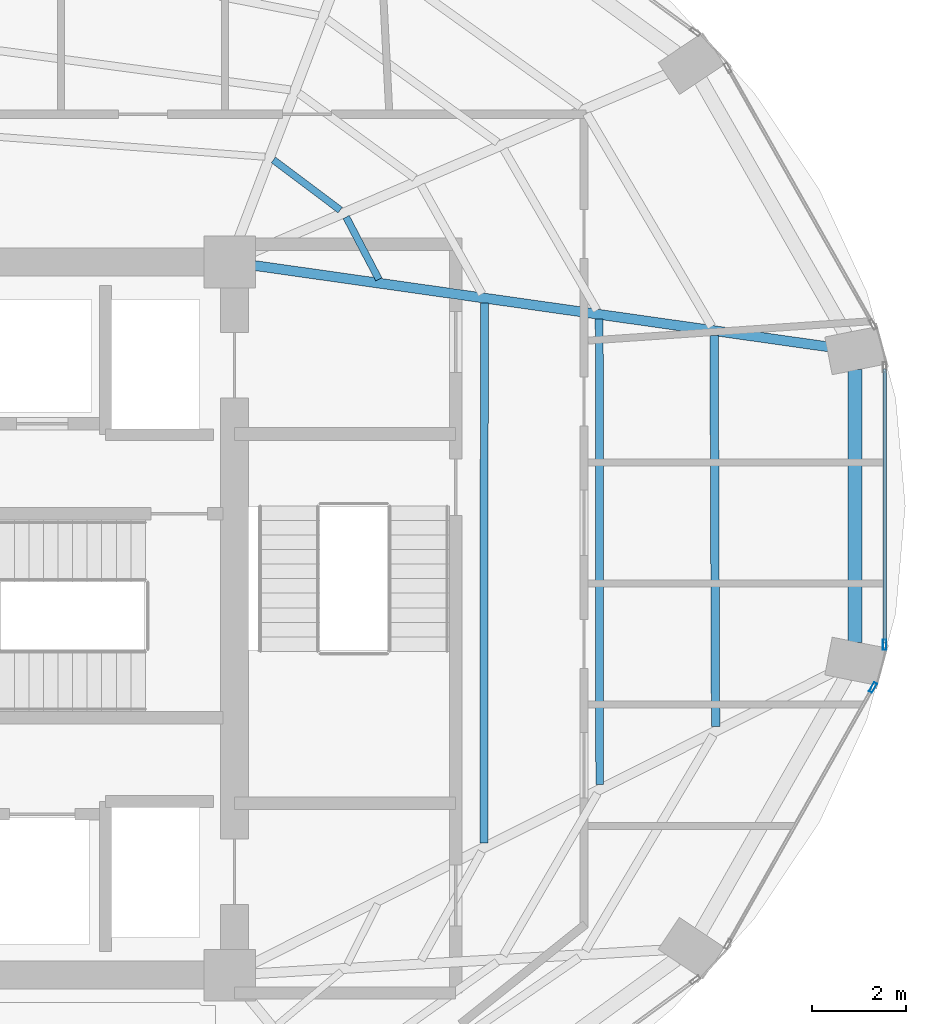
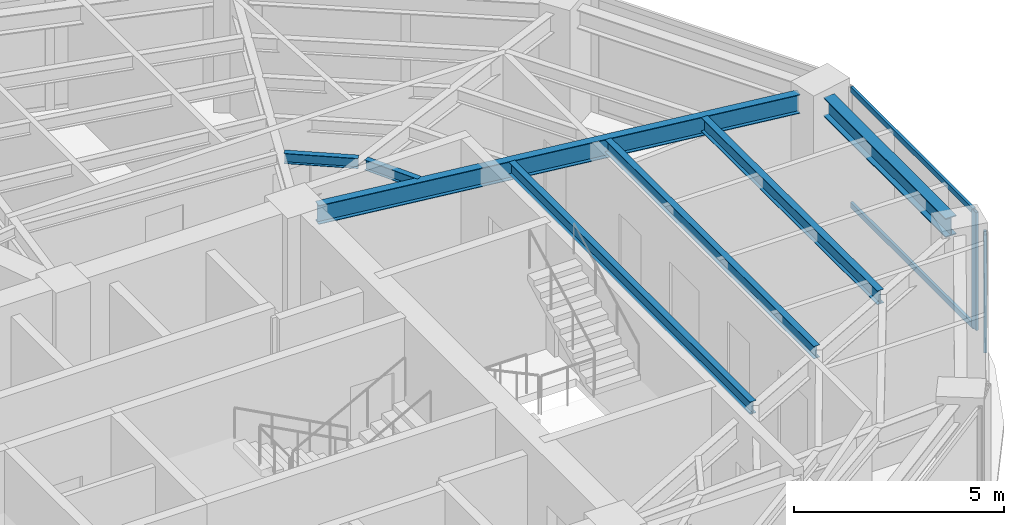
# One storey, part 10 of 20: 7 beams, 4 members, 2 elements without a shape of their own.
"""IFC4 building model written with IfcOpenShell, lengths in metres."""

from ifc_helpers import new_model, si_unit, direction, frame, origin, origin_2d, place, context, subcontext, project, spatial, hollow_rectangle, i_section, extrude, material, layer, layer_set, material_profile, profile_set, type_object, element, aggregate, save


model = new_model("IFC4")

# Units and contexts
model_context = context("Model", 3, precision=1e-05, world=origin(), true_north=direction((0.0, 1.0)))
body_context = subcontext(model_context, "Body", "Model", "MODEL_VIEW")
ifc_project = project(units=[si_unit("LENGTHUNIT", "METRE"), si_unit("AREAUNIT", "SQUARE_METRE"), si_unit("VOLUMEUNIT", "CUBIC_METRE"), si_unit("PLANEANGLEUNIT", "RADIAN"), si_unit("MASSUNIT", "GRAM", prefix="KILO")], contexts=[model_context])

# Site, building, storey
site_placement = place(None, origin())
site = spatial("IfcSite", under=ifc_project, at=site_placement, CompositionType="ELEMENT")
building_placement = place(site_placement, origin())
building = spatial("IfcBuilding", under=site, at=building_placement, Name="Lazwardi Medical Tower", CompositionType="ELEMENT")
storey_placement = place(building_placement, frame((0.0, 0.0, 156.528076171875)))
storey = spatial("IfcBuildingStorey", under=building, at=storey_placement, Name="L40", CompositionType="ELEMENT", Elevation=156.528076171875)

# Beams
ifc_material_1 = material(Name="Steel S355", Category="steel")
ifc_material_profile_1 = material_profile(ifc_material_1, i_section(OverallWidth=0.300048828125, OverallDepth=0.550048828125, WebThickness=0.014892578125, FlangeThickness=0.029052734375, at=origin_2d()), Name="HEB 550")
ifc_profile_set_1 = profile_set([ifc_material_profile_1], Name="Steel S355")
beam_type_1 = type_object("IfcBeamType", Name="BM-RB-Z3", PredefinedType="BEAM", material=ifc_profile_set_1)
beam_1_placement = place(storey_placement, frame((58.92578125, 27.48828125, 3.15283203125), z_axis=(0.0, 1.0, 0.0), x_axis=(-1.0, 0.0, 0.0)))
element("IfcBeam", 1, at=beam_1_placement, inside=storey, type_object=beam_type_1, Name="Ring beam RB-04 B04 L40", PredefinedType="BEAM", context=body_context, shape_type="SweptSolid", body=[
    extrude(i_section(OverallWidth=0.300048828125, OverallDepth=0.550048828125, WebThickness=0.014892578125, FlangeThickness=0.029052734375, at=origin_2d()), origin(), (0.0, 0.0, 1.0), 5.823486328125),
])
ifc_material_profile_2 = material_profile(ifc_material_1, i_section(OverallWidth=0.2099609375, OverallDepth=0.550048828125, WebThickness=0.010986328125, FlangeThickness=0.01708984375, at=origin_2d()), Name="IPE 550")
ifc_profile_set_2 = profile_set([ifc_material_profile_2], Name="Steel S355")
beam_type_2 = type_object("IfcBeamType", Name="BM-RG-W2", PredefinedType="BEAM", material=ifc_profile_set_2)
beam_2_placement = place(storey_placement, frame((58.371337890625, 33.790283203125, 3.15283203125), z_axis=(-0.99010958763, 0.140296131389, 0.0), x_axis=(-0.140296131389, -0.99010958763, 0.0)))
element("IfcBeam", 2, at=beam_2_placement, inside=storey, type_object=beam_type_2, Name="Radial girder RG-03 R05 L40", PredefinedType="BEAM", context=body_context, shape_type="SweptSolid", body=[
    extrude(i_section(OverallWidth=0.2099609375, OverallDepth=0.550048828125, WebThickness=0.010986328125, FlangeThickness=0.01708984375, at=origin_2d()), origin(), (0.0, 0.0, 1.0), 12.364013671875),
])
ifc_material_profile_3 = material_profile(ifc_material_1, i_section(OverallWidth=0.179931640625, OverallDepth=0.39990234375, WebThickness=0.008544921875, FlangeThickness=0.013427734375, at=origin_2d()), Name="IPE 400")
ifc_profile_set_3 = profile_set([ifc_material_profile_3], Name="Steel S355")
beam_type_3 = type_object("IfcBeamType", Name="BM-SJ-01", PredefinedType="JOIST", material=ifc_profile_set_3)
beam_3_placement = place(storey_placement, frame((55.95556640625, 25.69775390625, 3.22802734375), z_axis=(-0.003864366017, 0.99999253331, 0.0), x_axis=(-0.99999253331, -0.003864366017, 0.0)))
element("IfcBeam", 3, at=beam_3_placement, inside=storey, type_object=beam_type_3, Name="Secondary joist SJ-01 R1 B04 L40", PredefinedType="JOIST", context=body_context, shape_type="SweptSolid", body=[
    extrude(i_section(OverallWidth=0.179931640625, OverallDepth=0.39990234375, WebThickness=0.008544921875, FlangeThickness=0.013427734375, at=origin_2d()), origin(), (0.0, 0.0, 1.0), 8.33935546875),
])
ifc_material_profile_4 = material_profile(ifc_material_1, i_section(OverallWidth=0.169921875, OverallDepth=0.360107421875, WebThickness=0.008056640625, FlangeThickness=0.0126953125, at=origin_2d()), Name="IPE 360")
ifc_profile_set_4 = profile_set([ifc_material_profile_4], Name="Steel S355")
beam_type_4 = type_object("IfcBeamType", Name="BM-SJ-02", PredefinedType="JOIST", material=ifc_profile_set_4)
beam_4_placement = place(storey_placement, frame((53.486328125, 24.458251953125, 3.247802734375), z_axis=(-0.001156040156, 0.999999331785, 0.0), x_axis=(-0.999999331785, -0.001156040156, 0.0)))
element("IfcBeam", 4, at=beam_4_placement, inside=storey, type_object=beam_type_4, Name="Secondary joist SJ-02 R2 B04 L40", PredefinedType="JOIST", context=body_context, shape_type="SweptSolid", body=[
    extrude(i_section(OverallWidth=0.169921875, OverallDepth=0.360107421875, WebThickness=0.008056640625, FlangeThickness=0.0126953125, at=origin_2d()), origin(), (0.0, 0.0, 1.0), 9.92578125),
])
beam_5_placement = place(storey_placement, frame((51.01708984375, 23.21875, 3.247802734375), z_axis=(0.000805852776, 0.999999675301, 0.0), x_axis=(-0.999999675301, 0.000805852776, 0.0)))
element("IfcBeam", 5, at=beam_5_placement, inside=storey, type_object=beam_type_4, Name="Secondary joist SJ-02 R3 B04 L40", PredefinedType="JOIST", context=body_context, shape_type="SweptSolid", body=[
    extrude(i_section(OverallWidth=0.169921875, OverallDepth=0.360107421875, WebThickness=0.008056640625, FlangeThickness=0.0126953125, at=origin_2d()), origin(), (0.0, 0.0, 1.0), 11.512451171875),
])
ifc_material_profile_5 = material_profile(ifc_material_1, i_section(OverallWidth=0.14990234375, OverallDepth=0.300048828125, WebThickness=0.007080078125, FlangeThickness=0.0107421875, at=origin_2d()), Name="IPE 300")
ifc_profile_set_5 = profile_set([ifc_material_profile_5], Name="Steel S355")
beam_type_5 = type_object("IfcBeamType", Name="BM-SJ-03", PredefinedType="JOIST", material=ifc_profile_set_5)
beam_6_placement = place(storey_placement, frame((48.7763671875, 35.231689453125, 3.27783203125), z_axis=(-0.464469748171, 0.885588986513, 0.0), x_axis=(-0.885588986513, -0.464469748171, 0.0)))
element("IfcBeam", 6, at=beam_6_placement, inside=storey, type_object=beam_type_5, Name="Secondary joist SJ-03 R4 B05 L40", PredefinedType="JOIST", context=body_context, shape_type="SweptSolid", body=[
    extrude(i_section(OverallWidth=0.14990234375, OverallDepth=0.300048828125, WebThickness=0.007080078125, FlangeThickness=0.0107421875, at=origin_2d()), origin(), (0.0, 0.0, 1.0), 1.498046875),
])
beam_7_placement = place(storey_placement, frame((47.9541015625, 36.70703125, 3.27783203125), z_axis=(-0.799884834751, 0.600153522972, 0.0), x_axis=(-0.600153522972, -0.799884834751, 0.0)))
element("IfcBeam", 7, at=beam_7_placement, inside=storey, type_object=beam_type_5, Name="Secondary joist SJ-03 R4 B06 L40", PredefinedType="JOIST", context=body_context, shape_type="SweptSolid", body=[
    extrude(i_section(OverallWidth=0.14990234375, OverallDepth=0.300048828125, WebThickness=0.007080078125, FlangeThickness=0.0107421875, at=origin_2d()), origin(), (0.0, 0.0, 1.0), 1.781005859375),
])

# Curtain wall, member
ifc_material_2 = material(Name="Anodised bronze aluminium and solar control glazing", Category="aluminium")
ifc_layer = layer(ifc_material_2, 0.195068359375)
ifc_layer_set = layer_set([ifc_layer], Name="Anodised bronze aluminium and solar control glazing")
curtain_wall_type = type_object("IfcCurtainWallType", Name="CW-SYS-03", PredefinedType="NOTDEFINED", material=ifc_layer_set)
curtain_wall_1_placement = place(storey_placement, origin())
curtain_wall_1 = element("IfcCurtainWall", 8, at=curtain_wall_1_placement, inside=storey, type_object=curtain_wall_type, Name="L40 Unitised bronze curtain wall CW-03", PredefinedType="NOTDEFINED")
ifc_material_3 = material(Name="Anodised bronze aluminium", Category="aluminium")
ifc_material_profile_6 = material_profile(ifc_material_3, hollow_rectangle(XDim=0.074951171875, YDim=0.219970703125, WallThickness=0.00390625, at=origin_2d()), Name="ALU-MULLION 220x75x4")
ifc_profile_set_6 = profile_set([ifc_material_profile_6], Name="Anodised bronze aluminium")
member_type_1 = type_object("IfcMemberType", Name="CW-MUL-01", PredefinedType="MULLION", material=ifc_profile_set_6)
member_1_placement = place(storey_placement, frame((59.31103515625, 26.53271484375, 0.0), z_axis=(0.0, 0.0, 1.0), x_axis=(-0.870418989303, 0.492311672683, 0.0)))
member_1 = element("IfcMember", 9, at=member_1_placement, type_object=member_type_1, Name="CW-03 mullion 2", PredefinedType="MULLION", context=body_context, shape_type="SweptSolid", body=[
    extrude(hollow_rectangle(XDim=0.074951171875, YDim=0.219970703125, WallThickness=0.00390625, at=origin_2d()), origin(), (0.0, 0.0, 1.0), 3.427978515625),
])
aggregate(curtain_wall_1, [member_1])

# Curtain wall, members
curtain_wall_2_placement = place(storey_placement, origin())
curtain_wall_2 = element("IfcCurtainWall", 10, at=curtain_wall_2_placement, inside=storey, type_object=curtain_wall_type, Name="L40 Unitised bronze curtain wall CW-03", PredefinedType="NOTDEFINED")
member_2_placement = place(storey_placement, frame((59.5576171875, 27.442138671875, 0.0), z_axis=(0.0, 0.0, 1.0), x_axis=(-1.0, 0.0, 0.0)))
member_2 = element("IfcMember", 11, at=member_2_placement, type_object=member_type_1, Name="CW-03 mullion 1", PredefinedType="MULLION", context=body_context, shape_type="SweptSolid", body=[
    extrude(hollow_rectangle(XDim=0.074951171875, YDim=0.219970703125, WallThickness=0.00390625, at=origin_2d()), origin(), (0.0, 0.0, 1.0), 3.427978515625),
])
ifc_material_profile_7 = material_profile(ifc_material_3, hollow_rectangle(XDim=0.074951171875, YDim=0.159912109375, WallThickness=0.00390625, at=origin_2d()), Name="ALU-TRANSOM 160x75x4")
ifc_profile_set_7 = profile_set([ifc_material_profile_7], Name="Anodised bronze aluminium")
member_type_2 = type_object("IfcMemberType", Name="CW-TRN-01", PredefinedType="USERDEFINED", material=ifc_profile_set_7)
member_3_placement = place(storey_placement, frame((59.5576171875, 27.4794921875, 0.037353515625), z_axis=(0.0, 1.0, 0.0), x_axis=(-1.0, 0.0, 0.0)))
member_3 = element("IfcMember", 12, at=member_3_placement, type_object=member_type_2, Name="CW-03 transom 1.1", ObjectType="TRANSOM", PredefinedType="USERDEFINED", context=body_context, shape_type="SweptSolid", body=[
    extrude(hollow_rectangle(XDim=0.074951171875, YDim=0.159912109375, WallThickness=0.00390625, at=origin_2d()), origin(), (0.0, 0.0, 1.0), 5.8408203125),
])
member_4_placement = place(storey_placement, frame((59.5576171875, 27.4794921875, 3.390380859375), z_axis=(0.0, 1.0, 0.0), x_axis=(-1.0, 0.0, 0.0)))
member_4 = element("IfcMember", 13, at=member_4_placement, type_object=member_type_2, Name="CW-03 transom 1.2", ObjectType="TRANSOM", PredefinedType="USERDEFINED", context=body_context, shape_type="SweptSolid", body=[
    extrude(hollow_rectangle(XDim=0.074951171875, YDim=0.159912109375, WallThickness=0.00390625, at=origin_2d()), origin(), (0.0, 0.0, 1.0), 5.8408203125),
])
aggregate(curtain_wall_2, [member_2, member_3, member_4])

save(model, "model.ifc")
